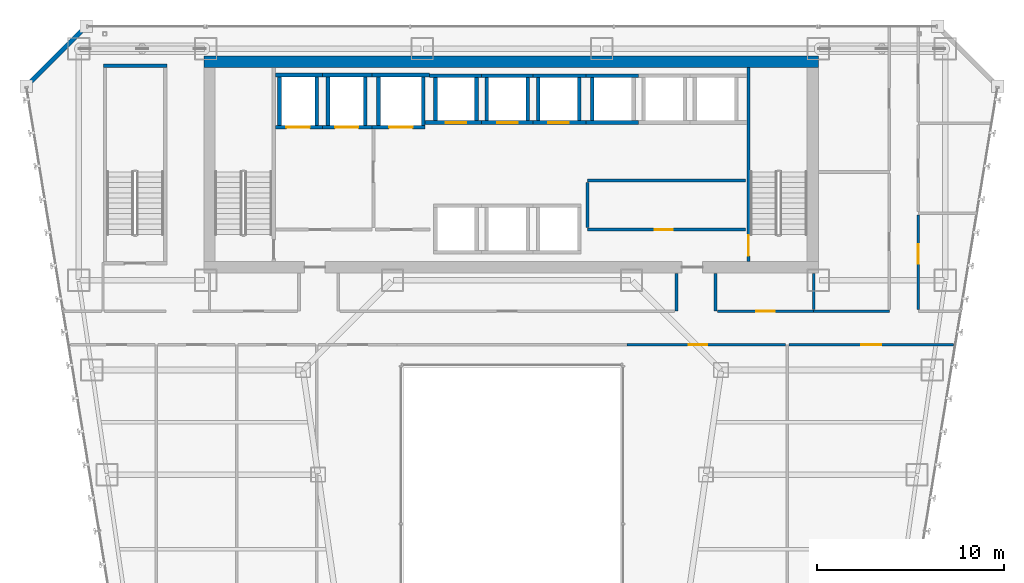
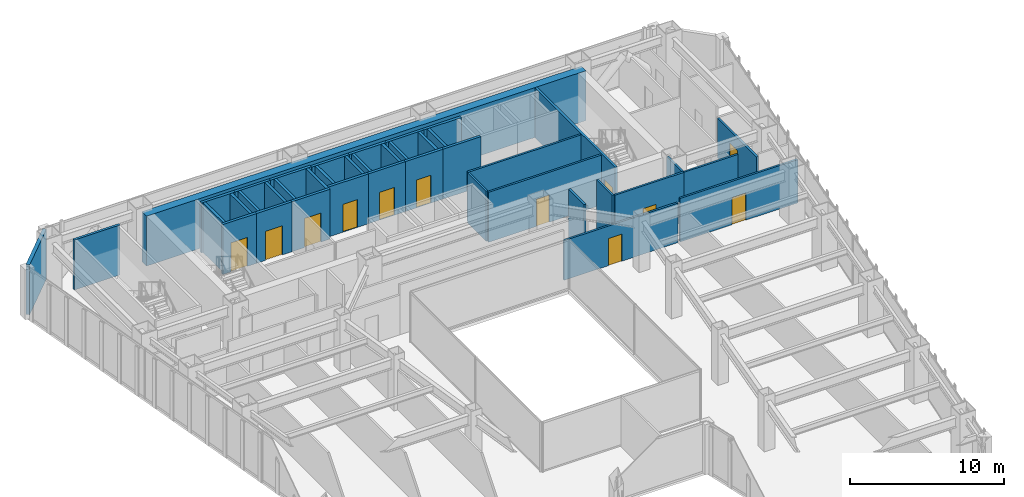
# One storey, part 37 of 47: 42 walls, 12 doors, 12 openings.
"""IFC4 building model written with IfcOpenShell, lengths in metres."""

from ifc_helpers import new_model, si_unit, direction, frame, frame_2d, origin, place, context, subcontext, project, spatial, rectangle, extrude, material, layer, layer_set, type_object, element, fill, save


model = new_model("IFC4")

# Units and contexts
model_context = context("Model", 3, precision=1e-05, world=origin(), true_north=direction((0.0, 1.0)))
body_context = subcontext(model_context, "Body", "Model", "MODEL_VIEW")
ifc_project = project(units=[si_unit("LENGTHUNIT", "METRE"), si_unit("AREAUNIT", "SQUARE_METRE"), si_unit("VOLUMEUNIT", "CUBIC_METRE"), si_unit("PLANEANGLEUNIT", "RADIAN"), si_unit("MASSUNIT", "GRAM", prefix="KILO")], contexts=[model_context])

# Site, building, storey
site_placement = place(None, origin())
site = spatial("IfcSite", under=ifc_project, at=site_placement, CompositionType="ELEMENT")
building_placement = place(site_placement, origin())
building = spatial("IfcBuilding", under=site, at=building_placement, Name="Saevonmaru Cultural Tower", CompositionType="ELEMENT")
storey_placement = place(building_placement, frame((0.0, 0.0, 82.39990234375)))
storey = spatial("IfcBuildingStorey", under=building, at=storey_placement, Name="L17", CompositionType="ELEMENT", Elevation=82.39990234375)

# Wall
ifc_material_1 = material(Name="Concrete C60/75", Category="concrete")
ifc_layer_1 = layer(ifc_material_1, 0.60009765625, Name="Concrete C60/75")
ifc_layer_set_1 = layer_set([ifc_layer_1], Name="Concrete C60/75")
wall_type_1 = type_object("IfcWallType", Name="WL-CORE-600", PredefinedType="SHEAR", material=ifc_layer_set_1)
wall_1_placement = place(storey_placement, frame((13.5, 54.10009765625, 0.0), z_axis=(0.0, 0.0, 1.0), x_axis=(1.0, 0.0, 0.0)))
element("IfcWall", 1, at=wall_1_placement, inside=storey, type_object=wall_type_1, Name="L17 Tower RC core shear wall N", PredefinedType="SHEAR", context=body_context, shape_type="SweptSolid", body=[
    extrude(rectangle(XDim=32.89990234375, YDim=0.60009765625, at=frame_2d((16.449951171875, 0.0))), origin(), (0.0, 0.0, 1.0), 3.9501953125),
])

# Wall, opening, door
ifc_material_2 = material(Name="Gypsum Fireboard Partition", Category="gypsum")
ifc_layer_2 = layer(ifc_material_2, 0.14990234375, Name="Gypsum Fireboard Partition")
ifc_layer_set_2 = layer_set([ifc_layer_2], Name="Gypsum Fireboard Partition")
wall_type_2 = type_object("IfcWallType", Name="WL-CORE-PART-150", PredefinedType="PARTITIONING", material=ifc_layer_set_2)
wall_2_placement = place(storey_placement, frame((34.050048828125, 45.1201171875, 0.0), z_axis=(0.0, 0.0, 1.0), x_axis=(1.0, 0.0, 0.0)))
wall_2 = element("IfcWall", 2, at=wall_2_placement, inside=storey, type_object=wall_type_2, Name="L17 Core Service South Wall", PredefinedType="PARTITIONING", context=body_context, shape_type="SweptSolid", body=[
    extrude(rectangle(XDim=8.449951171875, YDim=0.14990234375, at=frame_2d((4.22509765625, 0.0))), origin(), (0.0, 0.0, 1.0), 3.9501953125),
])
opening_1_placement = place(wall_2_placement, frame((3.60009765625, 0.0, 0.0)))
opening_1 = element("IfcOpeningElement", 3, at=opening_1_placement, cuts=wall_2, Name="Opening FD-4", PredefinedType="OPENING", context=body_context, shape_type="SweptSolid", body=[
    extrude(rectangle(XDim=0.949951171875, YDim=2.14990234375, at=frame_2d((0.47509765625, 1.074951171875))), frame((0.0, 0.0849609375, 0.0), z_axis=(0.0, -1.0, 0.0), x_axis=(1.0, 0.0, 0.0)), (0.0, 0.0, 1.0), 0.169921875),
])
ifc_material_3 = material(Name="Satin Bronze Anodised Aluminium", Category="aluminium")
door_type_1 = type_object("IfcDoorType", Name="DR-FD60-950", OperationType="SINGLE_SWING_LEFT", PredefinedType="DOOR", material=ifc_material_3)
door_1_placement = place(opening_1_placement, origin())
door_1 = element("IfcDoor", 4, at=door_1_placement, inside=storey, type_object=door_type_1, Name="L17 Telecom Riser Plant Door", OperationType="SINGLE_SWING_LEFT", OverallHeight=2.14990234375, OverallWidth=0.949951171875, PredefinedType="DOOR", context=body_context, shape_type="SweptSolid", body=[
    extrude(rectangle(XDim=0.949951171875, YDim=2.14990234375, at=frame_2d((0.47509765625, 1.074951171875))), frame((0.0, 0.02490234375, 0.0), z_axis=(0.0, -1.0, 0.0), x_axis=(1.0, 0.0, 0.0)), (0.0, 0.0, 1.0), 0.050048828125),
])
fill(opening_1, door_1)

# Walls
wall_3_placement = place(storey_placement, frame((34.050048828125, 47.75, 0.0), z_axis=(0.0, 0.0, 1.0), x_axis=(1.0, 0.0, 0.0)))
element("IfcWall", 5, at=wall_3_placement, inside=storey, type_object=wall_type_2, Name="L17 Core Service North Wall", PredefinedType="PARTITIONING", context=body_context, shape_type="SweptSolid", body=[
    extrude(rectangle(XDim=8.449951171875, YDim=0.14990234375, at=frame_2d((4.22509765625, 0.0))), origin(), (0.0, 0.0, 1.0), 3.9501953125),
])
wall_4_placement = place(storey_placement, frame((34.050048828125, 45.219970703125, 0.0), z_axis=(0.0, 0.0, 1.0), x_axis=(0.0, 1.0, 0.0)))
element("IfcWall", 6, at=wall_4_placement, inside=storey, type_object=wall_type_2, Name="L17 Core Service West Wall", PredefinedType="PARTITIONING", context=body_context, shape_type="SweptSolid", body=[
    extrude(rectangle(XDim=2.429931640625, YDim=0.14990234375, at=frame_2d((1.21484375, 0.0))), origin(), (0.0, 0.0, 1.0), 3.9501953125),
])
ifc_material_4 = material(Name="Granite-Clad Precast Concrete C40/50", Category="masonry")
ifc_layer_3 = layer(ifc_material_4, 0.260009765625, Name="Granite-Clad Precast Concrete C40/50")
ifc_layer_set_3 = layer_set([ifc_layer_3], Name="Granite-Clad Precast Concrete C40/50")
wall_type_3 = type_object("IfcWallType", Name="WL-EXT-SPANDREL-260", PredefinedType="STANDARD", material=ifc_layer_set_3)
wall_5_placement = place(storey_placement, frame((7.0869140625, 55.886962890625, 0.0), z_axis=(0.0, 0.0, 1.0), x_axis=(-0.707106781187, -0.707106781187, 0.0)))
element("IfcWall", 7, at=wall_5_placement, inside=storey, type_object=wall_type_3, Name="L17 Chamfer Corner Spandrel Wall E11", PredefinedType="STANDARD", context=body_context, shape_type="SweptSolid", body=[
    extrude(rectangle(XDim=4.205810546875, YDim=0.260009765625, at=frame_2d((2.10302734375, 0.0))), origin(), (0.0, 0.0, 1.0), 3.9501953125),
])

# Wall, opening, door
ifc_layer_4 = layer(ifc_material_2, 0.14990234375, Name="Gypsum Fireboard Partition")
ifc_layer_set_4 = layer_set([ifc_layer_4], Name="Gypsum Fireboard Partition")
wall_type_4 = type_object("IfcWallType", Name="WL-PART-FIRE-150", PredefinedType="PARTITIONING", material=ifc_layer_set_4)
wall_6_placement = place(storey_placement, frame((51.75, 40.83740234375, 0.0), z_axis=(0.0, 0.0, 1.0), x_axis=(0.0, 1.0, 0.0)))
wall_6 = element("IfcWall", 8, at=wall_6_placement, inside=storey, type_object=wall_type_4, Name="L17 Visual Arts Critique Gallery Corridor Wall", PredefinedType="PARTITIONING", context=body_context, shape_type="SweptSolid", body=[
    extrude(rectangle(XDim=5.0751953125, YDim=0.14990234375, at=frame_2d((2.53759765625, 0.0))), origin(), (0.0, 0.0, 1.0), 3.135009765625),
])
opening_2_placement = place(wall_6_placement, frame((2.452880859375, 0.0, 0.0)))
opening_2 = element("IfcOpeningElement", 9, at=opening_2_placement, cuts=wall_6, Name="Opening ID-1", PredefinedType="OPENING", context=body_context, shape_type="SweptSolid", body=[
    extrude(rectangle(XDim=1.050048828125, YDim=2.14990234375, at=frame_2d((0.52490234375, 1.074951171875))), frame((0.0, 0.0849609375, 0.0), z_axis=(0.0, -1.0, 0.0), x_axis=(1.0, 0.0, 0.0)), (0.0, 0.0, 1.0), 0.169921875),
])
door_type_2 = type_object("IfcDoorType", Name="DR-INT-1050", OperationType="SINGLE_SWING_LEFT", PredefinedType="DOOR", material=ifc_material_3)
door_2_placement = place(opening_2_placement, origin())
door_2 = element("IfcDoor", 10, at=door_2_placement, inside=storey, type_object=door_type_2, Name="L17 Visual Arts Critique Gallery Door", OperationType="SINGLE_SWING_RIGHT", OverallHeight=2.14990234375, OverallWidth=1.050048828125, PredefinedType="DOOR", context=body_context, shape_type="SweptSolid", body=[
    extrude(rectangle(XDim=1.050048828125, YDim=2.14990234375, at=frame_2d((0.52490234375, 1.074951171875))), frame((0.0, 0.02490234375, 0.0), z_axis=(0.0, -1.0, 0.0), x_axis=(1.0, 0.0, 0.0)), (0.0, 0.0, 1.0), 0.050048828125),
])
fill(opening_2, door_2)

# Walls
for number, where, z_axis, x_axis, name in (
    (11, (38.800048828125, 40.75, 0.0), (0.0, 0.0, 1.0), (0.0, 1.0, 0.0), "L17 Core Portal Side Wall E1"),
    (12, (40.89990234375, 40.75, 0.0), (0.0, 0.0, 1.0), (0.0, 1.0, 0.0), "L17 Core Portal Side Wall E2"),
):
    element("IfcWall", number, at=place(storey_placement, frame(where, z_axis=z_axis, x_axis=x_axis)), inside=storey, type_object=wall_type_4, Name=name, PredefinedType="PARTITIONING", context=body_context, shape_type="SweptSolid", body=[
        extrude(rectangle(XDim=2.030029296875, YDim=0.14990234375, at=frame_2d((1.01513671875, 0.0))), origin(), (0.0, 0.0, 1.0), 3.9501953125),
    ])

# Wall, opening, door
wall_7_placement = place(storey_placement, frame((40.9951171875, 40.75, 0.0), z_axis=(0.0, 0.0, 1.0), x_axis=(1.0, 0.0, 0.0)))
wall_7 = element("IfcWall", 13, at=wall_7_placement, inside=storey, type_object=wall_type_4, Name="L17 Sound Art Screening Auditorium Corridor Wall", PredefinedType="PARTITIONING", context=body_context, shape_type="SweptSolid", body=[
    extrude(rectangle(XDim=5.15478515625, YDim=0.14990234375, at=frame_2d((2.577392578125, 0.0))), origin(), (0.0, 0.0, 1.0), 3.9501953125),
])
opening_3_placement = place(wall_7_placement, frame((2.077880859375, 0.0, 0.0)))
opening_3 = element("IfcOpeningElement", 14, at=opening_3_placement, cuts=wall_7, Name="Opening ID-1B", PredefinedType="OPENING", context=body_context, shape_type="SweptSolid", body=[
    extrude(rectangle(XDim=1.0, YDim=2.14990234375, at=frame_2d((0.5, 1.074951171875))), frame((0.0, 0.0849609375, 0.0), z_axis=(0.0, -1.0, 0.0), x_axis=(1.0, 0.0, 0.0)), (0.0, 0.0, 1.0), 0.169921875),
])
ifc_material_5 = material(Name="Acoustic Stained Oak Timber", Category="wood")
door_type_3 = type_object("IfcDoorType", Name="DR-INT-1000", OperationType="SINGLE_SWING_RIGHT", PredefinedType="DOOR", material=ifc_material_5)
door_3_placement = place(opening_3_placement, origin())
door_3 = element("IfcDoor", 15, at=door_3_placement, inside=storey, type_object=door_type_3, Name="L17 Sound Art Screening Auditorium Door", OperationType="SINGLE_SWING_LEFT", OverallHeight=2.14990234375, OverallWidth=1.0, PredefinedType="DOOR", context=body_context, shape_type="SweptSolid", body=[
    extrude(rectangle(XDim=1.0, YDim=2.14990234375, at=frame_2d((0.5, 1.074951171875))), frame((0.0, 0.02490234375, 0.0), z_axis=(0.0, -1.0, 0.0), x_axis=(1.0, 0.0, 0.0)), (0.0, 0.0, 1.0), 0.050048828125),
])
fill(opening_3, door_3)

wall_8_placement = place(storey_placement, frame((36.14990234375, 38.949951171875, 0.0), z_axis=(0.0, 0.0, 1.0), x_axis=(1.0, 0.0, 0.0)))
wall_8 = element("IfcWall", 16, at=wall_8_placement, inside=storey, type_object=wall_type_4, Name="L17 Sound Art Screening Auditorium Corridor Wall", PredefinedType="PARTITIONING", context=body_context, shape_type="SweptSolid", body=[
    extrude(rectangle(XDim=8.502685546875, YDim=0.14990234375, at=frame_2d((4.25146484375, 0.0))), origin(), (0.0, 0.0, 1.0), 3.135009765625),
])
opening_4_placement = place(wall_8_placement, frame((3.31103515625, 0.0, 0.0)))
opening_4 = element("IfcOpeningElement", 17, at=opening_4_placement, cuts=wall_8, Name="Opening ID-1B", PredefinedType="OPENING", context=body_context, shape_type="SweptSolid", body=[
    extrude(rectangle(XDim=1.0, YDim=2.14990234375, at=frame_2d((0.5, 1.074951171875))), frame((0.0, 0.0849609375, 0.0), z_axis=(0.0, -1.0, 0.0), x_axis=(1.0, 0.0, 0.0)), (0.0, 0.0, 1.0), 0.169921875),
])
door_4_placement = place(opening_4_placement, origin())
door_4 = element("IfcDoor", 18, at=door_4_placement, inside=storey, type_object=door_type_3, Name="L17 Sound Art Screening Auditorium Door", OperationType="SINGLE_SWING_RIGHT", OverallHeight=2.14990234375, OverallWidth=1.0, PredefinedType="DOOR", context=body_context, shape_type="SweptSolid", body=[
    extrude(rectangle(XDim=1.0, YDim=2.14990234375, at=frame_2d((0.5, 1.074951171875))), frame((0.0, 0.02490234375, 0.0), z_axis=(0.0, -1.0, 0.0), x_axis=(1.0, 0.0, 0.0)), (0.0, 0.0, 1.0), 0.050048828125),
])
fill(opening_4, door_4)

wall_9_placement = place(storey_placement, frame((44.827392578125, 38.949951171875, 0.0), z_axis=(0.0, 0.0, 1.0), x_axis=(1.0, 0.0, 0.0)))
wall_9 = element("IfcWall", 19, at=wall_9_placement, inside=storey, type_object=wall_type_4, Name="L17 Visual Arts Critique Gallery Corridor Wall", PredefinedType="PARTITIONING", context=body_context, shape_type="SweptSolid", body=[
    extrude(rectangle(XDim=8.809814453125, YDim=0.14990234375, at=frame_2d((4.40478515625, 0.0))), origin(), (0.0, 0.0, 1.0), 3.43505859375),
])
opening_5_placement = place(wall_9_placement, frame((3.8798828125, 0.0, 0.0)))
opening_5 = element("IfcOpeningElement", 20, at=opening_5_placement, cuts=wall_9, Name="Opening ID-1", PredefinedType="OPENING", context=body_context, shape_type="SweptSolid", body=[
    extrude(rectangle(XDim=1.050048828125, YDim=2.14990234375, at=frame_2d((0.52490234375, 1.074951171875))), frame((0.0, 0.0849609375, 0.0), z_axis=(0.0, -1.0, 0.0), x_axis=(1.0, 0.0, 0.0)), (0.0, 0.0, 1.0), 0.169921875),
])
door_5_placement = place(opening_5_placement, origin())
door_5 = element("IfcDoor", 21, at=door_5_placement, inside=storey, type_object=door_type_2, Name="L17 Visual Arts Critique Gallery Door", OperationType="SINGLE_SWING_LEFT", OverallHeight=2.14990234375, OverallWidth=1.050048828125, PredefinedType="DOOR", context=body_context, shape_type="SweptSolid", body=[
    extrude(rectangle(XDim=1.050048828125, YDim=2.14990234375, at=frame_2d((0.52490234375, 1.074951171875))), frame((0.0, 0.02490234375, 0.0), z_axis=(0.0, -1.0, 0.0), x_axis=(1.0, 0.0, 0.0)), (0.0, 0.0, 1.0), 0.050048828125),
])
fill(opening_5, door_5)

# Walls
ifc_layer_5 = layer(ifc_material_2, 0.139892578125, Name="Gypsum Fireboard Partition")
ifc_layer_set_5 = layer_set([ifc_layer_5], Name="Gypsum Fireboard Partition")
wall_type_5 = type_object("IfcWallType", Name="WL-PART-WET-140", PredefinedType="PARTITIONING", material=ifc_layer_set_5)
wall_10_placement = place(storey_placement, frame((46.14990234375, 40.75, 0.0), z_axis=(0.0, 0.0, 1.0), x_axis=(1.0, 0.0, 0.0)))
element("IfcWall", 22, at=wall_10_placement, inside=storey, type_object=wall_type_5, Name="L17 Washroom South Wall", PredefinedType="PARTITIONING", context=body_context, shape_type="SweptSolid", body=[
    extrude(rectangle(XDim=4.050048828125, YDim=0.139892578125, at=frame_2d((2.02490234375, 0.0))), origin(), (0.0, 0.0, 1.0), 3.9501953125),
])
wall_11_placement = place(storey_placement, frame((46.14990234375, 40.840087890625, 0.0), z_axis=(0.0, 0.0, 1.0), x_axis=(0.0, 1.0, 0.0)))
element("IfcWall", 23, at=wall_11_placement, inside=storey, type_object=wall_type_5, Name="L17 Washroom South-West Return", PredefinedType="PARTITIONING", context=body_context, shape_type="SweptSolid", body=[
    extrude(rectangle(XDim=1.93994140625, YDim=0.139892578125, at=frame_2d((0.969970703125, 0.0))), origin(), (0.0, 0.0, 1.0), 3.9501953125),
])

# Wall, opening, door
ifc_material_6 = material(Name="Concrete C40/50", Category="concrete")
ifc_layer_6 = layer(ifc_material_6, 0.199951171875, Name="Concrete C40/50")
ifc_layer_set_6 = layer_set([ifc_layer_6], Name="Concrete C40/50")
wall_type_6 = type_object("IfcWallType", Name="WL-SHAFT-200", PredefinedType="SHEAR", material=ifc_layer_set_6)
wall_12_placement = place(storey_placement, frame((17.330078125, 50.60009765625, 0.0), z_axis=(0.0, 0.0, 1.0), x_axis=(1.0, 0.0, 0.0)))
wall_12 = element("IfcWall", 24, at=wall_12_placement, inside=storey, type_object=wall_type_6, Name="L17 Lift FFL-1 Hoistway Wall S", PredefinedType="SHEAR", context=body_context, shape_type="SweptSolid", body=[
    extrude(rectangle(XDim=2.52001953125, YDim=0.199951171875, at=frame_2d((1.260009765625, 0.0))), origin(), (0.0, 0.0, 1.0), 3.9501953125),
])
opening_6_placement = place(wall_12_placement, frame((0.594970703125, 0.0, 0.0)))
opening_6 = element("IfcOpeningElement", 25, at=opening_6_placement, cuts=wall_12, Name="Opening LD-2", PredefinedType="OPENING", context=body_context, shape_type="SweptSolid", body=[
    extrude(rectangle(XDim=1.25, YDim=2.300048828125, at=frame_2d((0.625, 1.14990234375))), frame((0.0, 0.10986328125, 0.0), z_axis=(0.0, -1.0, 0.0), x_axis=(1.0, 0.0, 0.0)), (0.0, 0.0, 1.0), 0.219970703125),
])
ifc_material_7 = material(Name="Stainless Steel 316", Category="steel")
door_type_4 = type_object("IfcDoorType", Name="DR-LIFT-1250", OperationType="SLIDING_TO_LEFT", PredefinedType="DOOR", material=ifc_material_7)
door_6_placement = place(opening_6_placement, origin())
door_6 = element("IfcDoor", 26, at=door_6_placement, inside=storey, type_object=door_type_4, Name="L17 Lift FFL-1 Sliding Landing Door", OperationType="SLIDING_TO_LEFT", OverallHeight=2.300048828125, OverallWidth=1.25, PredefinedType="DOOR", context=body_context, shape_type="SweptSolid", body=[
    extrude(rectangle(XDim=1.25, YDim=2.300048828125, at=frame_2d((0.625, 1.14990234375))), frame((0.0, 0.02490234375, 0.0), z_axis=(0.0, -1.0, 0.0), x_axis=(1.0, 0.0, 0.0)), (0.0, 0.0, 1.0), 0.050048828125),
])
fill(opening_6, door_6)

# Walls
wall_13_placement = place(storey_placement, frame((17.330078125, 53.39990234375, 0.0), z_axis=(0.0, 0.0, 1.0), x_axis=(1.0, 0.0, 0.0)))
element("IfcWall", 27, at=wall_13_placement, inside=storey, type_object=wall_type_6, Name="L17 Lift FFL-1 Hoistway Wall N", PredefinedType="SHEAR", context=body_context, shape_type="SweptSolid", body=[
    extrude(rectangle(XDim=2.52001953125, YDim=0.199951171875, at=frame_2d((1.260009765625, 0.0))), origin(), (0.0, 0.0, 1.0), 3.9501953125),
])
for number, where, z_axis, x_axis, name in (
    (28, (17.550048828125, 50.699951171875, 0.0), (0.0, 0.0, 1.0), (0.0, 1.0, 0.0), "L17 Lift FFL-1 Hoistway Wall W"),
    (29, (19.550048828125, 50.699951171875, 0.0), (0.0, 0.0, 1.0), (0.0, 1.0, 0.0), "L17 Lift FFL-1 Hoistway Wall E"),
):
    element("IfcWall", number, at=place(storey_placement, frame(where, z_axis=z_axis, x_axis=x_axis)), inside=storey, type_object=wall_type_6, Name=name, PredefinedType="SHEAR", context=body_context, shape_type="SweptSolid", body=[
        extrude(rectangle(XDim=2.60009765625, YDim=0.199951171875, at=frame_2d((1.300048828125, 0.0))), origin(), (0.0, 0.0, 1.0), 3.9501953125),
    ])

# Wall, opening, door
wall_14_placement = place(storey_placement, frame((19.85009765625, 50.60009765625, 0.0), z_axis=(0.0, 0.0, 1.0), x_axis=(1.0, 0.0, 0.0)))
wall_14 = element("IfcWall", 30, at=wall_14_placement, inside=storey, type_object=wall_type_6, Name="L17 Lift FFL-2 Hoistway Wall S", PredefinedType="SHEAR", context=body_context, shape_type="SweptSolid", body=[
    extrude(rectangle(XDim=2.64990234375, YDim=0.199951171875, at=frame_2d((1.324951171875, 0.0))), origin(), (0.0, 0.0, 1.0), 3.9501953125),
])
opening_7_placement = place(wall_14_placement, frame((0.675048828125, 0.0, 0.0)))
opening_7 = element("IfcOpeningElement", 31, at=opening_7_placement, cuts=wall_14, Name="Opening LD-2", PredefinedType="OPENING", context=body_context, shape_type="SweptSolid", body=[
    extrude(rectangle(XDim=1.25, YDim=2.300048828125, at=frame_2d((0.625, 1.14990234375))), frame((0.0, 0.10986328125, 0.0), z_axis=(0.0, -1.0, 0.0), x_axis=(1.0, 0.0, 0.0)), (0.0, 0.0, 1.0), 0.219970703125),
])
door_7_placement = place(opening_7_placement, origin())
door_7 = element("IfcDoor", 32, at=door_7_placement, inside=storey, type_object=door_type_4, Name="L17 Lift FFL-2 Sliding Landing Door", OperationType="SLIDING_TO_LEFT", OverallHeight=2.300048828125, OverallWidth=1.25, PredefinedType="DOOR", context=body_context, shape_type="SweptSolid", body=[
    extrude(rectangle(XDim=1.25, YDim=2.300048828125, at=frame_2d((0.625, 1.14990234375))), frame((0.0, 0.02490234375, 0.0), z_axis=(0.0, -1.0, 0.0), x_axis=(1.0, 0.0, 0.0)), (0.0, 0.0, 1.0), 0.050048828125),
])
fill(opening_7, door_7)

# Walls
wall_15_placement = place(storey_placement, frame((19.85009765625, 53.39990234375, 0.0), z_axis=(0.0, 0.0, 1.0), x_axis=(1.0, 0.0, 0.0)))
element("IfcWall", 33, at=wall_15_placement, inside=storey, type_object=wall_type_6, Name="L17 Lift FFL-2 Hoistway Wall N", PredefinedType="SHEAR", context=body_context, shape_type="SweptSolid", body=[
    extrude(rectangle(XDim=2.64990234375, YDim=0.199951171875, at=frame_2d((1.324951171875, 0.0))), origin(), (0.0, 0.0, 1.0), 3.9501953125),
])
for number, where, z_axis, x_axis, name in (
    (34, (20.14990234375, 50.699951171875, 0.0), (0.0, 0.0, 1.0), (0.0, 1.0, 0.0), "L17 Lift FFL-2 Hoistway Wall W"),
    (35, (22.14990234375, 50.699951171875, 0.0), (0.0, 0.0, 1.0), (0.0, 1.0, 0.0), "L17 Lift FFL-2 Hoistway Wall E"),
):
    element("IfcWall", number, at=place(storey_placement, frame(where, z_axis=z_axis, x_axis=x_axis)), inside=storey, type_object=wall_type_6, Name=name, PredefinedType="SHEAR", context=body_context, shape_type="SweptSolid", body=[
        extrude(rectangle(XDim=2.60009765625, YDim=0.199951171875, at=frame_2d((1.300048828125, 0.0))), origin(), (0.0, 0.0, 1.0), 3.9501953125),
    ])

# Wall, opening, door
wall_16_placement = place(storey_placement, frame((22.5, 50.60009765625, 0.0), z_axis=(0.0, 0.0, 1.0), x_axis=(1.0, 0.0, 0.0)))
wall_16 = element("IfcWall", 36, at=wall_16_placement, inside=storey, type_object=wall_type_6, Name="L17 Lift GL-1 Hoistway Wall S", PredefinedType="SHEAR", context=body_context, shape_type="SweptSolid", body=[
    extrude(rectangle(XDim=2.85009765625, YDim=0.199951171875, at=frame_2d((1.425048828125, 0.0))), origin(), (0.0, 0.0, 1.0), 3.9501953125),
])
opening_8_placement = place(wall_16_placement, frame((0.925048828125, 0.0, 0.0)))
opening_8 = element("IfcOpeningElement", 37, at=opening_8_placement, cuts=wall_16, Name="Opening LD-2", PredefinedType="OPENING", context=body_context, shape_type="SweptSolid", body=[
    extrude(rectangle(XDim=1.25, YDim=2.300048828125, at=frame_2d((0.625, 1.14990234375))), frame((0.0, 0.10986328125, 0.0), z_axis=(0.0, -1.0, 0.0), x_axis=(1.0, 0.0, 0.0)), (0.0, 0.0, 1.0), 0.219970703125),
])
door_8_placement = place(opening_8_placement, origin())
door_8 = element("IfcDoor", 38, at=door_8_placement, inside=storey, type_object=door_type_4, Name="L17 Lift GL-1 Sliding Landing Door", OperationType="SLIDING_TO_LEFT", OverallHeight=2.300048828125, OverallWidth=1.25, PredefinedType="DOOR", context=body_context, shape_type="SweptSolid", body=[
    extrude(rectangle(XDim=1.25, YDim=2.300048828125, at=frame_2d((0.625, 1.14990234375))), frame((0.0, 0.02490234375, 0.0), z_axis=(0.0, -1.0, 0.0), x_axis=(1.0, 0.0, 0.0)), (0.0, 0.0, 1.0), 0.050048828125),
])
fill(opening_8, door_8)

# Walls
wall_17_placement = place(storey_placement, frame((22.5, 53.39990234375, 0.0), z_axis=(0.0, 0.0, 1.0), x_axis=(1.0, 0.0, 0.0)))
element("IfcWall", 39, at=wall_17_placement, inside=storey, type_object=wall_type_6, Name="L17 Lift GL-1 Hoistway Wall N", PredefinedType="SHEAR", context=body_context, shape_type="SweptSolid", body=[
    extrude(rectangle(XDim=3.074951171875, YDim=0.199951171875, at=frame_2d((1.53759765625, 0.0))), origin(), (0.0, 0.0, 1.0), 3.9501953125),
])
for number, where, z_axis, x_axis, name in (
    (40, (22.85009765625, 50.699951171875, 0.0), (0.0, 0.0, 1.0), (0.0, 1.0, 0.0), "L17 Lift GL-1 Hoistway Wall W"),
    (41, (25.25, 50.699951171875, 0.0), (0.0, 0.0, 1.0), (0.0, 1.0, 0.0), "L17 Lift GL-1 Hoistway Wall E"),
):
    element("IfcWall", number, at=place(storey_placement, frame(where, z_axis=z_axis, x_axis=x_axis)), inside=storey, type_object=wall_type_6, Name=name, PredefinedType="SHEAR", context=body_context, shape_type="SweptSolid", body=[
        extrude(rectangle(XDim=2.60009765625, YDim=0.199951171875, at=frame_2d((1.300048828125, 0.0))), origin(), (0.0, 0.0, 1.0), 3.9501953125),
    ])

# Wall, opening, door
wall_18_placement = place(storey_placement, frame((25.35009765625, 50.85009765625, 0.0), z_axis=(0.0, 0.0, 1.0), x_axis=(1.0, 0.0, 0.0)))
wall_18 = element("IfcWall", 42, at=wall_18_placement, inside=storey, type_object=wall_type_6, Name="L17 Lift PL-L1 Hoistway Wall S", PredefinedType="SHEAR", context=body_context, shape_type="SweptSolid", body=[
    extrude(rectangle(XDim=3.02490234375, YDim=0.199951171875, at=frame_2d((1.512451171875, 0.0))), origin(), (0.0, 0.0, 1.0), 3.9501953125),
])
opening_9_placement = place(wall_18_placement, frame((1.10009765625, 0.0, 0.0)))
opening_9 = element("IfcOpeningElement", 43, at=opening_9_placement, cuts=wall_18, Name="Opening LD-1", PredefinedType="OPENING", context=body_context, shape_type="SweptSolid", body=[
    extrude(rectangle(XDim=1.10009765625, YDim=2.199951171875, at=frame_2d((0.550048828125, 1.10009765625))), frame((0.0, 0.10986328125, 0.0), z_axis=(0.0, -1.0, 0.0), x_axis=(1.0, 0.0, 0.0)), (0.0, 0.0, 1.0), 0.219970703125),
])
ifc_material_8 = material(Name="Satin Bronze Stainless Steel", Category="steel")
door_type_5 = type_object("IfcDoorType", Name="DR-LIFT-1100", OperationType="SLIDING_TO_LEFT", PredefinedType="DOOR", material=ifc_material_8)
door_9_placement = place(opening_9_placement, origin())
door_9 = element("IfcDoor", 44, at=door_9_placement, inside=storey, type_object=door_type_5, Name="L17 Lift PL-L1 Sliding Landing Door", OperationType="SLIDING_TO_LEFT", OverallHeight=2.199951171875, OverallWidth=1.10009765625, PredefinedType="DOOR", context=body_context, shape_type="SweptSolid", body=[
    extrude(rectangle(XDim=1.10009765625, YDim=2.199951171875, at=frame_2d((0.550048828125, 1.10009765625))), frame((0.0, 0.02490234375, 0.0), z_axis=(0.0, -1.0, 0.0), x_axis=(1.0, 0.0, 0.0)), (0.0, 0.0, 1.0), 0.050048828125),
])
fill(opening_9, door_9)

# Walls
wall_19_placement = place(storey_placement, frame((25.574951171875, 53.35009765625, 0.0), z_axis=(0.0, 0.0, 1.0), x_axis=(1.0, 0.0, 0.0)))
element("IfcWall", 45, at=wall_19_placement, inside=storey, type_object=wall_type_6, Name="L17 Lift PL-L1 Hoistway Wall N", PredefinedType="SHEAR", context=body_context, shape_type="SweptSolid", body=[
    extrude(rectangle(XDim=2.800048828125, YDim=0.199951171875, at=frame_2d((1.39990234375, 0.0))), origin(), (0.0, 0.0, 1.0), 3.9501953125),
])
for number, where, z_axis, x_axis, name in (
    (46, (25.89990234375, 50.949951171875, 0.0), (0.0, 0.0, 1.0), (0.0, 1.0, 0.0), "L17 Lift PL-L1 Hoistway Wall W"),
    (47, (28.10009765625, 50.949951171875, 0.0), (0.0, 0.0, 1.0), (0.0, 1.0, 0.0), "L17 Lift PL-L1 Hoistway Wall E"),
):
    element("IfcWall", number, at=place(storey_placement, frame(where, z_axis=z_axis, x_axis=x_axis)), inside=storey, type_object=wall_type_6, Name=name, PredefinedType="SHEAR", context=body_context, shape_type="SweptSolid", body=[
        extrude(rectangle(XDim=2.300048828125, YDim=0.199951171875, at=frame_2d((1.14990234375, 0.0))), origin(), (0.0, 0.0, 1.0), 3.9501953125),
    ])

# Wall, opening, door
wall_20_placement = place(storey_placement, frame((28.375, 50.85009765625, 0.0), z_axis=(0.0, 0.0, 1.0), x_axis=(1.0, 0.0, 0.0)))
wall_20 = element("IfcWall", 48, at=wall_20_placement, inside=storey, type_object=wall_type_6, Name="L17 Lift PL-L2 Hoistway Wall S", PredefinedType="SHEAR", context=body_context, shape_type="SweptSolid", body=[
    extrude(rectangle(XDim=2.75, YDim=0.199951171875, at=frame_2d((1.375, 0.0))), origin(), (0.0, 0.0, 1.0), 3.9501953125),
])
opening_10_placement = place(wall_20_placement, frame((0.824951171875, 0.0, 0.0)))
opening_10 = element("IfcOpeningElement", 49, at=opening_10_placement, cuts=wall_20, Name="Opening LD-1", PredefinedType="OPENING", context=body_context, shape_type="SweptSolid", body=[
    extrude(rectangle(XDim=1.10009765625, YDim=2.199951171875, at=frame_2d((0.550048828125, 1.10009765625))), frame((0.0, 0.10986328125, 0.0), z_axis=(0.0, -1.0, 0.0), x_axis=(1.0, 0.0, 0.0)), (0.0, 0.0, 1.0), 0.219970703125),
])
door_10_placement = place(opening_10_placement, origin())
door_10 = element("IfcDoor", 50, at=door_10_placement, inside=storey, type_object=door_type_5, Name="L17 Lift PL-L2 Sliding Landing Door", OperationType="SLIDING_TO_LEFT", OverallHeight=2.199951171875, OverallWidth=1.10009765625, PredefinedType="DOOR", context=body_context, shape_type="SweptSolid", body=[
    extrude(rectangle(XDim=1.10009765625, YDim=2.199951171875, at=frame_2d((0.550048828125, 1.10009765625))), frame((0.0, 0.02490234375, 0.0), z_axis=(0.0, -1.0, 0.0), x_axis=(1.0, 0.0, 0.0)), (0.0, 0.0, 1.0), 0.050048828125),
])
fill(opening_10, door_10)

# Walls
wall_21_placement = place(storey_placement, frame((28.375, 53.35009765625, 0.0), z_axis=(0.0, 0.0, 1.0), x_axis=(1.0, 0.0, 0.0)))
element("IfcWall", 51, at=wall_21_placement, inside=storey, type_object=wall_type_6, Name="L17 Lift PL-L2 Hoistway Wall N", PredefinedType="SHEAR", context=body_context, shape_type="SweptSolid", body=[
    extrude(rectangle(XDim=2.75, YDim=0.199951171875, at=frame_2d((1.375, 0.0))), origin(), (0.0, 0.0, 1.0), 3.9501953125),
])
for number, where, z_axis, x_axis, name in (
    (52, (28.64990234375, 50.949951171875, 0.0), (0.0, 0.0, 1.0), (0.0, 1.0, 0.0), "L17 Lift PL-L2 Hoistway Wall W"),
    (53, (30.85009765625, 50.949951171875, 0.0), (0.0, 0.0, 1.0), (0.0, 1.0, 0.0), "L17 Lift PL-L2 Hoistway Wall E"),
):
    element("IfcWall", number, at=place(storey_placement, frame(where, z_axis=z_axis, x_axis=x_axis)), inside=storey, type_object=wall_type_6, Name=name, PredefinedType="SHEAR", context=body_context, shape_type="SweptSolid", body=[
        extrude(rectangle(XDim=2.300048828125, YDim=0.199951171875, at=frame_2d((1.14990234375, 0.0))), origin(), (0.0, 0.0, 1.0), 3.9501953125),
    ])

# Wall, opening, door
wall_22_placement = place(storey_placement, frame((31.125, 50.85009765625, 0.0), z_axis=(0.0, 0.0, 1.0), x_axis=(1.0, 0.0, 0.0)))
wall_22 = element("IfcWall", 54, at=wall_22_placement, inside=storey, type_object=wall_type_6, Name="L17 Lift PL-L3 Hoistway Wall S", PredefinedType="SHEAR", context=body_context, shape_type="SweptSolid", body=[
    extrude(rectangle(XDim=2.824951171875, YDim=0.199951171875, at=frame_2d((1.41259765625, 0.0))), origin(), (0.0, 0.0, 1.0), 3.9501953125),
])
opening_11_placement = place(wall_22_placement, frame((0.824951171875, 0.0, 0.0)))
opening_11 = element("IfcOpeningElement", 55, at=opening_11_placement, cuts=wall_22, Name="Opening LD-1", PredefinedType="OPENING", context=body_context, shape_type="SweptSolid", body=[
    extrude(rectangle(XDim=1.10009765625, YDim=2.199951171875, at=frame_2d((0.550048828125, 1.10009765625))), frame((0.0, 0.10986328125, 0.0), z_axis=(0.0, -1.0, 0.0), x_axis=(1.0, 0.0, 0.0)), (0.0, 0.0, 1.0), 0.219970703125),
])
door_11_placement = place(opening_11_placement, origin())
door_11 = element("IfcDoor", 56, at=door_11_placement, inside=storey, type_object=door_type_5, Name="L17 Lift PL-L3 Sliding Landing Door", OperationType="SLIDING_TO_LEFT", OverallHeight=2.199951171875, OverallWidth=1.10009765625, PredefinedType="DOOR", context=body_context, shape_type="SweptSolid", body=[
    extrude(rectangle(XDim=1.10009765625, YDim=2.199951171875, at=frame_2d((0.550048828125, 1.10009765625))), frame((0.0, 0.02490234375, 0.0), z_axis=(0.0, -1.0, 0.0), x_axis=(1.0, 0.0, 0.0)), (0.0, 0.0, 1.0), 0.050048828125),
])
fill(opening_11, door_11)

# Walls
wall_23_placement = place(storey_placement, frame((31.125, 53.35009765625, 0.0), z_axis=(0.0, 0.0, 1.0), x_axis=(1.0, 0.0, 0.0)))
element("IfcWall", 57, at=wall_23_placement, inside=storey, type_object=wall_type_6, Name="L17 Lift PL-L3 Hoistway Wall N", PredefinedType="SHEAR", context=body_context, shape_type="SweptSolid", body=[
    extrude(rectangle(XDim=2.824951171875, YDim=0.199951171875, at=frame_2d((1.41259765625, 0.0))), origin(), (0.0, 0.0, 1.0), 3.9501953125),
])
for number, where, z_axis, x_axis, name in (
    (58, (31.39990234375, 50.949951171875, 0.0), (0.0, 0.0, 1.0), (0.0, 1.0, 0.0), "L17 Lift PL-L3 Hoistway Wall W"),
    (59, (33.60009765625, 50.949951171875, 0.0), (0.0, 0.0, 1.0), (0.0, 1.0, 0.0), "L17 Lift PL-L3 Hoistway Wall E"),
):
    element("IfcWall", number, at=place(storey_placement, frame(where, z_axis=z_axis, x_axis=x_axis)), inside=storey, type_object=wall_type_6, Name=name, PredefinedType="SHEAR", context=body_context, shape_type="SweptSolid", body=[
        extrude(rectangle(XDim=2.300048828125, YDim=0.199951171875, at=frame_2d((1.14990234375, 0.0))), origin(), (0.0, 0.0, 1.0), 3.9501953125),
    ])
for number, where, z_axis, x_axis, name in (
    (60, (33.949951171875, 50.85009765625, 0.0), (0.0, 0.0, 1.0), (1.0, 0.0, 0.0), "L17 Lift PL-H1 Hoistway Wall S"),
    (61, (33.949951171875, 53.35009765625, 0.0), (0.0, 0.0, 1.0), (1.0, 0.0, 0.0), "L17 Lift PL-H1 Hoistway Wall N"),
):
    element("IfcWall", number, at=place(storey_placement, frame(where, z_axis=z_axis, x_axis=x_axis)), inside=storey, type_object=wall_type_6, Name=name, PredefinedType="SHEAR", context=body_context, shape_type="SweptSolid", body=[
        extrude(rectangle(XDim=2.824951171875, YDim=0.199951171875, at=frame_2d((1.41259765625, 0.0))), origin(), (0.0, 0.0, 1.0), 3.9501953125),
    ])
wall_24_placement = place(storey_placement, frame((34.300048828125, 50.949951171875, 0.0), z_axis=(0.0, 0.0, 1.0), x_axis=(0.0, 1.0, 0.0)))
element("IfcWall", 62, at=wall_24_placement, inside=storey, type_object=wall_type_6, Name="L17 Lift PL-H1 Hoistway Wall W", PredefinedType="SHEAR", context=body_context, shape_type="SweptSolid", body=[
    extrude(rectangle(XDim=2.300048828125, YDim=0.199951171875, at=frame_2d((1.14990234375, 0.0))), origin(), (0.0, 0.0, 1.0), 3.9501953125),
])

# Wall, opening, door
ifc_layer_7 = layer(ifc_material_6, 0.179931640625, Name="Concrete C40/50")
ifc_layer_set_7 = layer_set([ifc_layer_7], Name="Concrete C40/50")
wall_type_7 = type_object("IfcWallType", Name="WL-STSHAFT-180", PredefinedType="SHEAR", material=ifc_layer_set_7)
wall_25_placement = place(storey_placement, frame((42.659912109375, 53.800048828125, 0.0), z_axis=(0.0, 0.0, 1.0), x_axis=(0.0, -1.0, 0.0)))
wall_25 = element("IfcWall", 63, at=wall_25_placement, inside=storey, type_object=wall_type_7, Name="L17 Stair ST-2 Structural Shaft Wall 1", PredefinedType="SHEAR", context=body_context, shape_type="SweptSolid", body=[
    extrude(rectangle(XDim=10.400146484375, YDim=0.179931640625, at=frame_2d((5.2001953125, 0.0))), origin(), (0.0, 0.0, 1.0), 3.9501953125),
])
opening_12_placement = place(wall_25_placement, frame((8.989990234375, 0.0, 0.0)))
opening_12 = element("IfcOpeningElement", 64, at=opening_12_placement, cuts=wall_25, Name="Opening FD-2", PredefinedType="OPENING", context=body_context, shape_type="SweptSolid", body=[
    extrude(rectangle(XDim=1.10009765625, YDim=2.14990234375, at=frame_2d((0.550048828125, 1.074951171875))), frame((0.0, 0.10009765625, 0.0), z_axis=(0.0, -1.0, 0.0), x_axis=(1.0, 0.0, 0.0)), (0.0, 0.0, 1.0), 0.199951171875),
])
door_type_6 = type_object("IfcDoorType", Name="DR-FD60-1100", OperationType="SINGLE_SWING_LEFT", PredefinedType="DOOR", material=ifc_material_3)
door_12_placement = place(opening_12_placement, origin())
door_12 = element("IfcDoor", 65, at=door_12_placement, inside=storey, type_object=door_type_6, Name="L17 Protected Stair ST-2 Fire Door", OperationType="SINGLE_SWING_LEFT", OverallHeight=2.14990234375, OverallWidth=1.10009765625, PredefinedType="DOOR", context=body_context, shape_type="SweptSolid", body=[
    extrude(rectangle(XDim=1.10009765625, YDim=2.14990234375, at=frame_2d((0.550048828125, 1.074951171875))), frame((0.0, 0.02490234375, 0.0), z_axis=(0.0, -1.0, 0.0), x_axis=(1.0, 0.0, 0.0)), (0.0, 0.0, 1.0), 0.050048828125),
])
fill(opening_12, door_12)

# Wall
wall_26_placement = place(storey_placement, frame((11.530029296875, 53.889892578125, 0.0), z_axis=(0.0, 0.0, 1.0), x_axis=(-1.0, 0.0, 0.0)))
element("IfcWall", 66, at=wall_26_placement, inside=storey, type_object=wall_type_7, Name="L17 Stair ST-3 Structural Shaft Wall 3", PredefinedType="SHEAR", context=body_context, shape_type="SweptSolid", body=[
    extrude(rectangle(XDim=3.409912109375, YDim=0.179931640625, at=frame_2d((1.705078125, 0.0))), origin(), (0.0, 0.0, 1.0), 3.9501953125),
])

save(model, "model.ifc")
